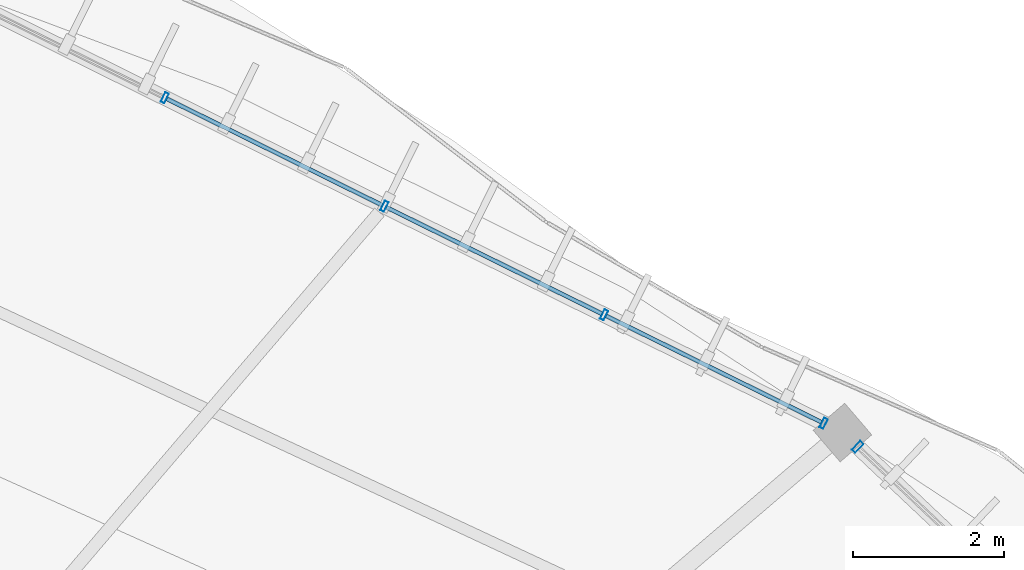
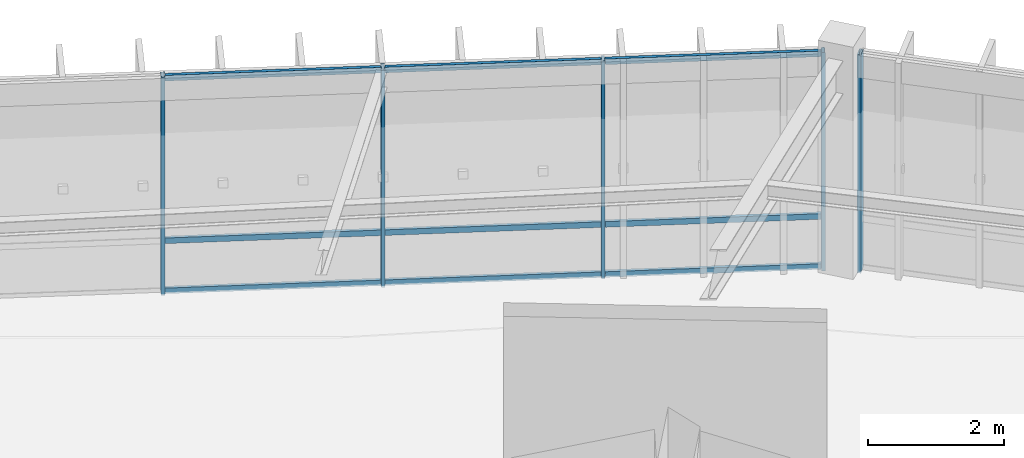
# One storey, part 61 of 79: 14 members, 2 elements without a shape of their own.
"""IFC4 building model written with IfcOpenShell, lengths in metres."""

from ifc_helpers import new_model, si_unit, direction, frame, origin, origin_2d, place, context, subcontext, project, spatial, hollow_rectangle, extrude, material, material_profile, profile_set, type_object, element, aggregate, save


model = new_model("IFC4")

# Units and contexts
model_context = context("Model", 3, precision=1e-05, world=origin(), true_north=direction((0.0, 1.0)))
body_context = subcontext(model_context, "Body", "Model", "MODEL_VIEW")
ifc_project = project(units=[si_unit("LENGTHUNIT", "METRE"), si_unit("AREAUNIT", "SQUARE_METRE"), si_unit("VOLUMEUNIT", "CUBIC_METRE"), si_unit("PLANEANGLEUNIT", "RADIAN"), si_unit("MASSUNIT", "GRAM", prefix="KILO"), si_unit("THERMODYNAMICTEMPERATUREUNIT", "KELVIN"), si_unit("POWERUNIT", "WATT")], contexts=[model_context])

# Site, building, storey
site_placement = place(None, origin())
site = spatial("IfcSite", under=ifc_project, at=site_placement, CompositionType="ELEMENT")
building_placement = place(site_placement, origin())
building = spatial("IfcBuilding", under=site, at=building_placement, Name="Darbajah Civic Hall", CompositionType="ELEMENT")
storey_placement = place(building_placement, frame((0.0, 0.0, 22.199951171875)))
storey = spatial("IfcBuildingStorey", under=building, at=storey_placement, Name="L05", CompositionType="ELEMENT", Elevation=22.199951171875)

# Curtain wall, members
ifc_material_1 = material(Name="Anodised Bronze Aluminium and Low-E Glazing", Category="aluminium")
curtain_wall_type_1 = type_object("IfcCurtainWallType", Name="Unitised Curtain Wall CW-79 13000x3900", PredefinedType="USERDEFINED", material=ifc_material_1)
curtain_wall_1_placement = place(storey_placement, origin())
curtain_wall_1 = element("IfcCurtainWall", 1, at=curtain_wall_1_placement, inside=storey, type_object=curtain_wall_type_1, Name="L05 unitised curtain wall CW-V1O-L05-02", ObjectType="UNITISED CURTAIN WALL", PredefinedType="USERDEFINED")
ifc_material_2 = material(Name="Anodised Bronze Aluminium", Category="aluminium")
ifc_material_profile_1 = material_profile(ifc_material_2, hollow_rectangle(XDim=0.054931640625, YDim=0.139892578125, WallThickness=0.003173828125, at=origin_2d()), Name="ALU MULLION 55x140")
ifc_profile_set_1 = profile_set([ifc_material_profile_1], Name="Anodised Bronze Aluminium")
member_type_1 = type_object("IfcMemberType", Name="ALU MULLION 55x140", PredefinedType="MULLION", material=ifc_profile_set_1)
member_1_placement = place(storey_placement, frame((127.63232421875, 109.081298828125, 0.0), z_axis=(0.0, 0.0, 1.0), x_axis=(-0.89656374724, 0.442914717678, 0.0)))
member_1 = element("IfcMember", 2, at=member_1_placement, type_object=member_type_1, Name="CW-V1O-L05-02 mullion 1", PredefinedType="MULLION", context=body_context, shape_type="SweptSolid", body=[
    extrude(hollow_rectangle(XDim=0.054931640625, YDim=0.139892578125, WallThickness=0.003173828125, at=origin_2d()), origin(), (0.0, 0.0, 1.0), 3.920166015625),
])
member_2_placement = place(storey_placement, frame((124.72314453125, 110.5185546875, 0.0), z_axis=(0.0, 0.0, 1.0), x_axis=(-0.89656374724, 0.442914717678, 0.0)))
member_2 = element("IfcMember", 3, at=member_2_placement, type_object=member_type_1, Name="CW-V1O-L05-02 mullion 2", PredefinedType="MULLION", context=body_context, shape_type="SweptSolid", body=[
    extrude(hollow_rectangle(XDim=0.054931640625, YDim=0.139892578125, WallThickness=0.003173828125, at=origin_2d()), origin(), (0.0, 0.0, 1.0), 3.920166015625),
])
member_3_placement = place(storey_placement, frame((121.814208984375, 111.955810546875, 0.0), z_axis=(0.0, 0.0, 1.0), x_axis=(-0.89656374724, 0.442914717678, 0.0)))
member_3 = element("IfcMember", 4, at=member_3_placement, type_object=member_type_1, Name="CW-V1O-L05-02 mullion 3", PredefinedType="MULLION", context=body_context, shape_type="SweptSolid", body=[
    extrude(hollow_rectangle(XDim=0.054931640625, YDim=0.139892578125, WallThickness=0.003173828125, at=origin_2d()), origin(), (0.0, 0.0, 1.0), 3.920166015625),
])
member_4_placement = place(storey_placement, frame((118.90478515625, 113.39306640625, 0.0), z_axis=(0.0, 0.0, 1.0), x_axis=(-0.89656374724, 0.442914717678, 0.0)))
member_4 = element("IfcMember", 5, at=member_4_placement, type_object=member_type_1, Name="CW-V1O-L05-02 mullion 4", PredefinedType="MULLION", context=body_context, shape_type="SweptSolid", body=[
    extrude(hollow_rectangle(XDim=0.054931640625, YDim=0.139892578125, WallThickness=0.003173828125, at=origin_2d()), origin(), (0.0, 0.0, 1.0), 3.920166015625),
])

# Curtain wall, member
curtain_wall_type_2 = type_object("IfcCurtainWallType", Name="Unitised Curtain Wall CW-63 10900x3900", PredefinedType="USERDEFINED", material=ifc_material_1)
curtain_wall_2_placement = place(storey_placement, origin())
curtain_wall_2 = element("IfcCurtainWall", 6, at=curtain_wall_2_placement, inside=storey, type_object=curtain_wall_type_2, Name="L05 unitised curtain wall CW-V1O-L05-01", ObjectType="UNITISED CURTAIN WALL", PredefinedType="USERDEFINED")
ifc_material_profile_2 = material_profile(ifc_material_2, hollow_rectangle(XDim=0.06005859375, YDim=0.159912109375, WallThickness=0.00341796875, at=origin_2d()), Name="ALU MULLION 60x160")
ifc_profile_set_2 = profile_set([ifc_material_profile_2], Name="Anodised Bronze Aluminium")
member_type_2 = type_object("IfcMemberType", Name="ALU MULLION 60x160", PredefinedType="MULLION", material=ifc_profile_set_2)
member_5_placement = place(storey_placement, frame((128.08203125, 108.7685546875, 0.0), z_axis=(0.0, 0.0, 1.0), x_axis=(-0.727173991201, 0.686453193248, 0.0)))
member_5 = element("IfcMember", 7, at=member_5_placement, type_object=member_type_2, Name="CW-V1O-L05-01 mullion 5", PredefinedType="MULLION", context=body_context, shape_type="SweptSolid", body=[
    extrude(hollow_rectangle(XDim=0.06005859375, YDim=0.159912109375, WallThickness=0.00341796875, at=origin_2d()), origin(), (0.0, 0.0, 1.0), 3.920166015625),
])
aggregate(curtain_wall_2, [member_5])

# Member
ifc_material_profile_3 = material_profile(ifc_material_2, hollow_rectangle(XDim=0.054931640625, YDim=0.10009765625, WallThickness=0.0029296875, at=origin_2d()), Name="ALU TRANSOM 55x100")
ifc_profile_set_3 = profile_set([ifc_material_profile_3], Name="Anodised Bronze Aluminium")
member_type_3 = type_object("IfcMemberType", Name="ALU TRANSOM 55x100", PredefinedType="USERDEFINED", material=ifc_profile_set_3)
member_6_placement = place(storey_placement, frame((127.603271484375, 109.095703125, 0.050048828125), z_axis=(-0.896551467105, 0.442939574696, 0.0), x_axis=(-0.442939574696, -0.896551467105, 0.0)))
member_6 = element("IfcMember", 8, at=member_6_placement, type_object=member_type_3, Name="CW-V1O-L05-02 transom 1.1", ObjectType="TRANSOM", PredefinedType="USERDEFINED", context=body_context, shape_type="SweptSolid", body=[
    extrude(hollow_rectangle(XDim=0.054931640625, YDim=0.10009765625, WallThickness=0.0029296875, at=origin_2d()), origin(), (0.0, 0.0, 1.0), 3.1796875),
])

member_7_placement = place(storey_placement, frame((127.603271484375, 109.095703125, 0.949951171875), z_axis=(-0.896551467105, 0.442939574696, 0.0), x_axis=(-0.442939574696, -0.896551467105, 0.0)))
member_7 = element("IfcMember", 9, at=member_7_placement, type_object=member_type_3, Name="CW-V1O-L05-02 transom 1.2", ObjectType="TRANSOM", PredefinedType="USERDEFINED", context=body_context, shape_type="SweptSolid", body=[
    extrude(hollow_rectangle(XDim=0.054931640625, YDim=0.10009765625, WallThickness=0.0029296875, at=origin_2d()), origin(), (0.0, 0.0, 1.0), 3.1796875),
])

member_8_placement = place(storey_placement, frame((127.603271484375, 109.095703125, 3.8701171875), z_axis=(-0.896551467105, 0.442939574696, 0.0), x_axis=(-0.442939574696, -0.896551467105, 0.0)))
member_8 = element("IfcMember", 10, at=member_8_placement, type_object=member_type_3, Name="CW-V1O-L05-02 transom 1.3", ObjectType="TRANSOM", PredefinedType="USERDEFINED", context=body_context, shape_type="SweptSolid", body=[
    extrude(hollow_rectangle(XDim=0.054931640625, YDim=0.10009765625, WallThickness=0.0029296875, at=origin_2d()), origin(), (0.0, 0.0, 1.0), 3.1796875),
])

member_9_placement = place(storey_placement, frame((124.694091796875, 110.532958984375, 0.050048828125), z_axis=(-0.896551467105, 0.442939574696, 0.0), x_axis=(-0.442939574696, -0.896551467105, 0.0)))
member_9 = element("IfcMember", 11, at=member_9_placement, type_object=member_type_3, Name="CW-V1O-L05-02 transom 2.1", ObjectType="TRANSOM", PredefinedType="USERDEFINED", context=body_context, shape_type="SweptSolid", body=[
    extrude(hollow_rectangle(XDim=0.054931640625, YDim=0.10009765625, WallThickness=0.0029296875, at=origin_2d()), origin(), (0.0, 0.0, 1.0), 3.1796875),
])

member_10_placement = place(storey_placement, frame((124.694091796875, 110.532958984375, 0.949951171875), z_axis=(-0.896551467105, 0.442939574696, 0.0), x_axis=(-0.442939574696, -0.896551467105, 0.0)))
member_10 = element("IfcMember", 12, at=member_10_placement, type_object=member_type_3, Name="CW-V1O-L05-02 transom 2.2", ObjectType="TRANSOM", PredefinedType="USERDEFINED", context=body_context, shape_type="SweptSolid", body=[
    extrude(hollow_rectangle(XDim=0.054931640625, YDim=0.10009765625, WallThickness=0.0029296875, at=origin_2d()), origin(), (0.0, 0.0, 1.0), 3.1796875),
])

member_11_placement = place(storey_placement, frame((124.694091796875, 110.532958984375, 3.8701171875), z_axis=(-0.896551467105, 0.442939574696, 0.0), x_axis=(-0.442939574696, -0.896551467105, 0.0)))
member_11 = element("IfcMember", 13, at=member_11_placement, type_object=member_type_3, Name="CW-V1O-L05-02 transom 2.3", ObjectType="TRANSOM", PredefinedType="USERDEFINED", context=body_context, shape_type="SweptSolid", body=[
    extrude(hollow_rectangle(XDim=0.054931640625, YDim=0.10009765625, WallThickness=0.0029296875, at=origin_2d()), origin(), (0.0, 0.0, 1.0), 3.1796875),
])

member_12_placement = place(storey_placement, frame((121.784912109375, 111.97021484375, 0.050048828125), z_axis=(-0.896551467105, 0.442939574696, 0.0), x_axis=(-0.442939574696, -0.896551467105, 0.0)))
member_12 = element("IfcMember", 14, at=member_12_placement, type_object=member_type_3, Name="CW-V1O-L05-02 transom 3.1", ObjectType="TRANSOM", PredefinedType="USERDEFINED", context=body_context, shape_type="SweptSolid", body=[
    extrude(hollow_rectangle(XDim=0.054931640625, YDim=0.10009765625, WallThickness=0.0029296875, at=origin_2d()), origin(), (0.0, 0.0, 1.0), 3.1796875),
])

member_13_placement = place(storey_placement, frame((121.784912109375, 111.97021484375, 0.949951171875), z_axis=(-0.896551467105, 0.442939574696, 0.0), x_axis=(-0.442939574696, -0.896551467105, 0.0)))
member_13 = element("IfcMember", 15, at=member_13_placement, type_object=member_type_3, Name="CW-V1O-L05-02 transom 3.2", ObjectType="TRANSOM", PredefinedType="USERDEFINED", context=body_context, shape_type="SweptSolid", body=[
    extrude(hollow_rectangle(XDim=0.054931640625, YDim=0.10009765625, WallThickness=0.0029296875, at=origin_2d()), origin(), (0.0, 0.0, 1.0), 3.1796875),
])

member_14_placement = place(storey_placement, frame((121.784912109375, 111.97021484375, 3.8701171875), z_axis=(-0.896551467105, 0.442939574696, 0.0), x_axis=(-0.442939574696, -0.896551467105, 0.0)))
member_14 = element("IfcMember", 16, at=member_14_placement, type_object=member_type_3, Name="CW-V1O-L05-02 transom 3.3", ObjectType="TRANSOM", PredefinedType="USERDEFINED", context=body_context, shape_type="SweptSolid", body=[
    extrude(hollow_rectangle(XDim=0.054931640625, YDim=0.10009765625, WallThickness=0.0029296875, at=origin_2d()), origin(), (0.0, 0.0, 1.0), 3.1796875),
])

aggregate(curtain_wall_1, [member_1, member_2, member_3, member_4, member_6, member_7, member_8, member_9, member_10, member_11, member_12, member_13, member_14])

save(model, "model.ifc")
